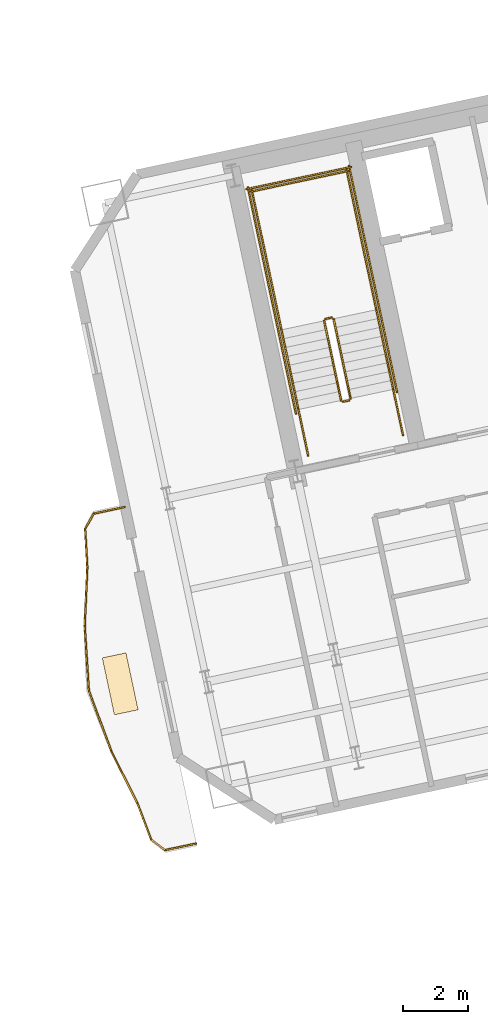
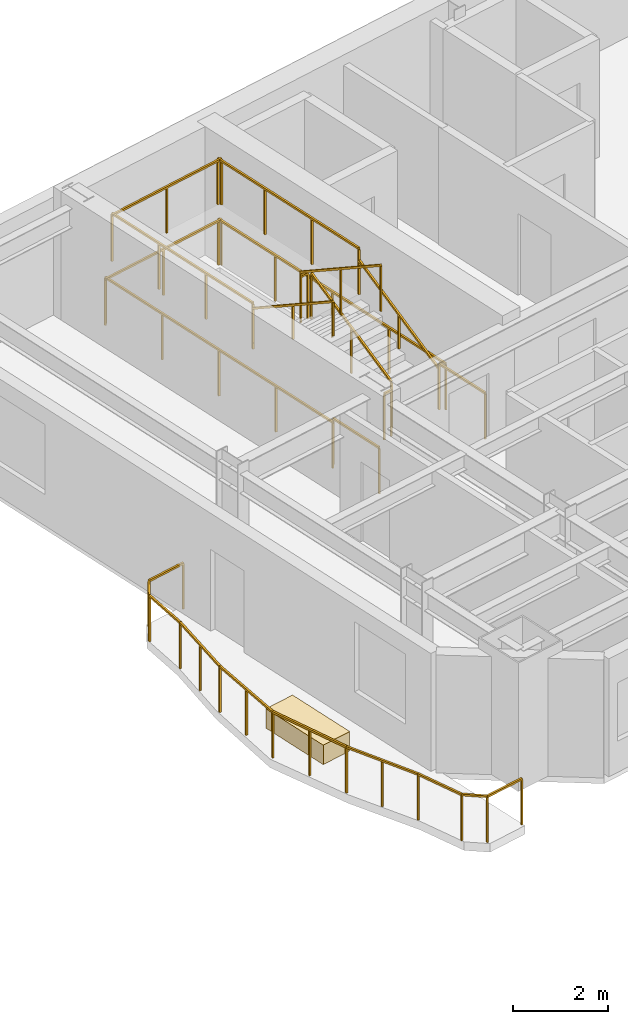
# One storey, part 12 of 13: 24 railings, 1 covering.
"""IFC4 building model written with IfcOpenShell, lengths in metres."""

from ifc_helpers import new_model, si_unit, direction, frame, origin, origin_2d, place, context, subcontext, project, spatial, rectangle, extrude, material, layer, layer_set, type_object, element, save


model = new_model("IFC4")

# Units and contexts
model_context = context("Model", 3, precision=1e-05, world=origin(), true_north=direction((0.0, 1.0)))
body_context = subcontext(model_context, "Body", "Model", "MODEL_VIEW")
ifc_project = project(units=[si_unit("LENGTHUNIT", "METRE"), si_unit("AREAUNIT", "SQUARE_METRE"), si_unit("VOLUMEUNIT", "CUBIC_METRE"), si_unit("PLANEANGLEUNIT", "RADIAN"), si_unit("MASSUNIT", "GRAM", prefix="KILO")], contexts=[model_context])

# Site, building, storey
site_placement = place(None, origin())
site = spatial("IfcSite", under=ifc_project, at=site_placement, CompositionType="ELEMENT")
building_placement = place(site_placement, origin())
building = spatial("IfcBuilding", under=site, at=building_placement, Name="Haevon Station Towers", CompositionType="ELEMENT")
storey_placement = place(building_placement, frame((0.0, 0.0, 162.60009765625)))
storey = spatial("IfcBuildingStorey", under=building, at=storey_placement, Name="L44", CompositionType="ELEMENT", Elevation=162.60009765625)

# Railings
ifc_material_1 = material(Name="Steel S355", Category="steel")
railing_type_1 = type_object("IfcRailingType", Name="GRD-EXT1200", PredefinedType="GUARDRAIL", material=ifc_material_1)
railing_1_placement = place(storey_placement, frame((93.44384765625, 36.33154296875, 0.0)))
element("IfcRailing", 1, at=railing_1_placement, inside=storey, type_object=railing_type_1, Name="L44 Perimeter Guardrail 1", PredefinedType="GUARDRAIL", context=body_context, shape_type="SweptSolid", body=[
    extrude(rectangle(XDim=0.048095703125, YDim=0.048095703125, at=origin_2d()), frame((0.0, 0.0, 1.17578125), z_axis=(-0.977706975704, -0.209973973767, 0.0), x_axis=(0.209973973767, -0.977706975704, 0.0)), (0.0, 0.0, 1.0), 0.974365234375),
    extrude(rectangle(XDim=0.0419921875, YDim=0.0419921875, at=origin_2d()), origin(), (0.0, 0.0, 1.0), 1.15185546875),
    extrude(rectangle(XDim=0.0419921875, YDim=0.0419921875, at=origin_2d()), frame((-0.95263671875, -0.20458984375, 0.0)), (0.0, 0.0, 1.0), 1.15185546875),
])
railing_2_placement = place(storey_placement, frame((92.4912109375, 36.126953125, 0.0)))
element("IfcRailing", 2, at=railing_2_placement, inside=storey, type_object=railing_type_1, Name="L44 Perimeter Guardrail 2", PredefinedType="GUARDRAIL", context=body_context, shape_type="SweptSolid", body=[
    extrude(rectangle(XDim=0.048095703125, YDim=0.048095703125, at=origin_2d()), frame((0.0, 0.0, 1.17578125), z_axis=(-0.480899548863, -0.876775697601, 0.0), x_axis=(0.876775697601, -0.480899548863, 0.0)), (0.0, 0.0, 1.0), 0.542724609375),
    extrude(rectangle(XDim=0.0419921875, YDim=0.0419921875, at=origin_2d()), origin(), (0.0, 0.0, 1.0), 1.15185546875),
    extrude(rectangle(XDim=0.0419921875, YDim=0.0419921875, at=origin_2d()), frame((-0.260986328125, -0.475830078125, 0.0)), (0.0, 0.0, 1.0), 1.15185546875),
])
railing_3_placement = place(storey_placement, frame((92.230224609375, 35.651123046875, 0.0)))
element("IfcRailing", 3, at=railing_3_placement, inside=storey, type_object=railing_type_1, Name="L44 Perimeter Guardrail 3", PredefinedType="GUARDRAIL", context=body_context, shape_type="SweptSolid", body=[
    extrude(rectangle(XDim=0.048095703125, YDim=0.048095703125, at=origin_2d()), frame((0.0, 0.0, 1.17578125), z_axis=(0.056486171086, -0.998403381643, 0.0), x_axis=(0.998403381643, 0.056486171086, 0.0)), (0.0, 0.0, 1.0), 1.184326171875),
    extrude(rectangle(XDim=0.0419921875, YDim=0.0419921875, at=origin_2d()), origin(), (0.0, 0.0, 1.0), 1.15185546875),
    extrude(rectangle(XDim=0.0419921875, YDim=0.0419921875, at=origin_2d()), frame((0.06689453125, -1.182373046875, 0.0)), (0.0, 0.0, 1.0), 1.15185546875),
])
railing_4_placement = place(storey_placement, frame((92.297119140625, 34.46875, 0.0)))
element("IfcRailing", 4, at=railing_4_placement, inside=storey, type_object=railing_type_1, Name="L44 Perimeter Guardrail 4", PredefinedType="GUARDRAIL", context=body_context, shape_type="SweptSolid", body=[
    extrude(rectangle(XDim=0.048095703125, YDim=0.048095703125, at=origin_2d()), frame((0.0, 0.0, 1.17578125), z_axis=(-0.044358621954, -0.999015671878, 0.0), x_axis=(0.999015671878, -0.044358621954, 0.0)), (0.0, 0.0, 1.0), 1.80517578125),
    extrude(rectangle(XDim=0.0419921875, YDim=0.0419921875, at=origin_2d()), origin(), (0.0, 0.0, 1.0), 1.15185546875),
    extrude(rectangle(XDim=0.0419921875, YDim=0.0419921875, at=origin_2d()), frame((-0.0400390625, -0.90185546875, 0.0)), (0.0, 0.0, 1.0), 1.15185546875),
    extrude(rectangle(XDim=0.0419921875, YDim=0.0419921875, at=origin_2d()), frame((-0.080078125, -1.803466796875, 0.0)), (0.0, 0.0, 1.0), 1.15185546875),
])
railing_5_placement = place(storey_placement, frame((92.217041015625, 32.665283203125, 0.0)))
element("IfcRailing", 5, at=railing_5_placement, inside=storey, type_object=railing_type_1, Name="L44 Perimeter Guardrail 5", PredefinedType="GUARDRAIL", context=body_context, shape_type="SweptSolid", body=[
    extrude(rectangle(XDim=0.048095703125, YDim=0.048095703125, at=origin_2d()), frame((0.0, 0.0, 1.17578125), z_axis=(0.063322282015, -0.997993130538, 0.0), x_axis=(0.997993130538, 0.063322282015, 0.0)), (0.0, 0.0, 1.0), 2.0126953125),
    extrude(rectangle(XDim=0.0419921875, YDim=0.0419921875, at=origin_2d()), origin(), (0.0, 0.0, 1.0), 1.15185546875),
    extrude(rectangle(XDim=0.0419921875, YDim=0.0419921875, at=origin_2d()), frame((0.063720703125, -1.00439453125, 0.0)), (0.0, 0.0, 1.0), 1.15185546875),
    extrude(rectangle(XDim=0.0419921875, YDim=0.0419921875, at=origin_2d()), frame((0.12744140625, -2.008544921875, 0.0)), (0.0, 0.0, 1.0), 1.15185546875),
])
railing_6_placement = place(storey_placement, frame((92.344482421875, 30.65673828125, 0.0)))
element("IfcRailing", 6, at=railing_6_placement, inside=storey, type_object=railing_type_1, Name="L44 Perimeter Guardrail 6", PredefinedType="GUARDRAIL", context=body_context, shape_type="SweptSolid", body=[
    extrude(rectangle(XDim=0.048095703125, YDim=0.048095703125, at=origin_2d()), frame((0.0, 0.0, 1.17578125), z_axis=(0.348076866175, -0.937465996841, 0.0), x_axis=(0.937465996841, 0.348076866175, 0.0)), (0.0, 0.0, 1.0), 2.01220703125),
    extrude(rectangle(XDim=0.0419921875, YDim=0.0419921875, at=origin_2d()), origin(), (0.0, 0.0, 1.0), 1.15185546875),
    extrude(rectangle(XDim=0.0419921875, YDim=0.0419921875, at=origin_2d()), frame((0.35009765625, -0.943359375, 0.0)), (0.0, 0.0, 1.0), 1.15185546875),
    extrude(rectangle(XDim=0.0419921875, YDim=0.0419921875, at=origin_2d()), frame((0.700439453125, -1.886474609375, 0.0)), (0.0, 0.0, 1.0), 1.15185546875),
])
railing_7_placement = place(storey_placement, frame((93.044921875, 28.770263671875, 0.0)))
element("IfcRailing", 7, at=railing_7_placement, inside=storey, type_object=railing_type_1, Name="L44 Perimeter Guardrail 7", PredefinedType="GUARDRAIL", context=body_context, shape_type="SweptSolid", body=[
    extrude(rectangle(XDim=0.048095703125, YDim=0.048095703125, at=origin_2d()), frame((0.0, 0.0, 1.17578125), z_axis=(0.446943110236, -0.894562382516, 0.0), x_axis=(0.894562382516, 0.446943110236, 0.0)), (0.0, 0.0, 1.0), 1.805419921875),
    extrude(rectangle(XDim=0.0419921875, YDim=0.0419921875, at=origin_2d()), origin(), (0.0, 0.0, 1.0), 1.15185546875),
    extrude(rectangle(XDim=0.0419921875, YDim=0.0419921875, at=origin_2d()), frame((0.4033203125, -0.8076171875, 0.0)), (0.0, 0.0, 1.0), 1.15185546875),
    extrude(rectangle(XDim=0.0419921875, YDim=0.0419921875, at=origin_2d()), frame((0.806884765625, -1.614990234375, 0.0)), (0.0, 0.0, 1.0), 1.15185546875),
])
railing_8_placement = place(storey_placement, frame((93.851806640625, 27.1552734375, 0.0)))
element("IfcRailing", 8, at=railing_8_placement, inside=storey, type_object=railing_type_1, Name="L44 Perimeter Guardrail 8", PredefinedType="GUARDRAIL", context=body_context, shape_type="SweptSolid", body=[
    extrude(rectangle(XDim=0.048095703125, YDim=0.048095703125, at=origin_2d()), frame((0.0, 0.0, 1.17578125), z_axis=(0.354374563569, -0.935103560412, 0.0), x_axis=(0.935103560412, 0.354374563569, 0.0)), (0.0, 0.0, 1.0), 1.184326171875),
    extrude(rectangle(XDim=0.0419921875, YDim=0.0419921875, at=origin_2d()), origin(), (0.0, 0.0, 1.0), 1.15185546875),
    extrude(rectangle(XDim=0.0419921875, YDim=0.0419921875, at=origin_2d()), frame((0.419677734375, -1.107421875, 0.0)), (0.0, 0.0, 1.0), 1.15185546875),
])
railing_9_placement = place(storey_placement, frame((94.271484375, 26.0478515625, 0.0)))
element("IfcRailing", 9, at=railing_9_placement, inside=storey, type_object=railing_type_1, Name="L44 Perimeter Guardrail 9", PredefinedType="GUARDRAIL", context=body_context, shape_type="SweptSolid", body=[
    extrude(rectangle(XDim=0.048095703125, YDim=0.048095703125, at=origin_2d()), frame((0.0, 0.0, 1.17578125), z_axis=(0.795823981278, -0.605528026456, 0.0), x_axis=(0.605528026456, 0.795823981278, 0.0)), (0.0, 0.0, 1.0), 0.542724609375),
    extrude(rectangle(XDim=0.0419921875, YDim=0.0419921875, at=origin_2d()), origin(), (0.0, 0.0, 1.0), 1.15185546875),
    extrude(rectangle(XDim=0.0419921875, YDim=0.0419921875, at=origin_2d()), frame((0.431884765625, -0.32861328125, 0.0)), (0.0, 0.0, 1.0), 1.15185546875),
])
railing_10_placement = place(storey_placement, frame((94.703369140625, 25.71923828125, 0.0)))
element("IfcRailing", 10, at=railing_10_placement, inside=storey, type_object=railing_type_1, Name="L44 Perimeter Guardrail 10", PredefinedType="GUARDRAIL", context=body_context, shape_type="SweptSolid", body=[
    extrude(rectangle(XDim=0.048095703125, YDim=0.048095703125, at=origin_2d()), frame((0.0, 0.0, 1.17578125), z_axis=(0.978565730841, 0.205934723695, 0.0), x_axis=(-0.205934723695, 0.978565730841, 0.0)), (0.0, 0.0, 1.0), 0.974609375),
    extrude(rectangle(XDim=0.0419921875, YDim=0.0419921875, at=origin_2d()), origin(), (0.0, 0.0, 1.0), 1.15185546875),
    extrude(rectangle(XDim=0.0419921875, YDim=0.0419921875, at=origin_2d()), frame((0.95361328125, 0.20068359375, 0.0)), (0.0, 0.0, 1.0), 1.15185546875),
])
railing_type_2 = type_object("IfcRailingType", Name="GRD-STR1200", PredefinedType="GUARDRAIL", material=ifc_material_1)
railing_11_placement = place(storey_placement, frame((100.44140625, 39.69287109375, 0.164794921875)))
element("IfcRailing", 11, at=railing_11_placement, inside=storey, type_object=railing_type_2, Name="L44 ST3 Stair Guard 1", PredefinedType="GUARDRAIL", context=body_context, shape_type="SweptSolid", body=[
    extrude(rectangle(XDim=0.048095703125, YDim=0.048095703125, at=origin_2d()), frame((0.0, 0.0, 1.17578125), z_axis=(-0.179121265225, 0.842687928106, 0.507732831485), x_axis=(-0.978147030254, -0.207914374695, 0.0)), (0.0, 0.0, 1.0), 2.925048828125),
    extrude(rectangle(XDim=0.0419921875, YDim=0.0419921875, at=origin_2d()), origin(), (0.0, 0.0, 1.0), 1.15185546875),
    extrude(rectangle(XDim=0.0419921875, YDim=0.0419921875, at=origin_2d()), frame((-0.261962890625, 1.232421875, 0.74267578125)), (0.0, 0.0, 1.0), 1.15185546875),
    extrude(rectangle(XDim=0.0419921875, YDim=0.0419921875, at=origin_2d()), frame((-0.52392578125, 2.46484375, 1.485107421875)), (0.0, 0.0, 1.0), 1.15185546875),
])
railing_12_placement = place(storey_placement, frame((99.858154296875, 42.1962890625, 1.64990234375)))
element("IfcRailing", 12, at=railing_12_placement, inside=storey, type_object=railing_type_2, Name="L44 ST3 Stair Guard 2", PredefinedType="GUARDRAIL", context=body_context, shape_type="SweptSolid", body=[
    extrude(rectangle(XDim=0.048095703125, YDim=0.048095703125, at=origin_2d()), frame((0.0, 0.0, 1.17578125), z_axis=(-0.977962931203, -0.208778603291, 0.0), x_axis=(0.208778603291, -0.977962931203, 0.0)), (0.0, 0.0, 1.0), 0.199951171875),
    extrude(rectangle(XDim=0.0419921875, YDim=0.0419921875, at=origin_2d()), origin(), (0.0, 0.0, 1.0), 1.15185546875),
    extrude(rectangle(XDim=0.0419921875, YDim=0.0419921875, at=origin_2d()), frame((-0.195556640625, -0.041748046875, 0.0)), (0.0, 0.0, 1.0), 1.15185546875),
])
railing_13_placement = place(storey_placement, frame((101.238037109375, 42.4384765625, 1.64990234375)))
element("IfcRailing", 13, at=railing_13_placement, inside=storey, type_object=railing_type_2, Name="L44 ST3 Stair Guard 3", PredefinedType="GUARDRAIL", context=body_context, shape_type="SweptSolid", body=[
    extrude(rectangle(XDim=0.048095703125, YDim=0.048095703125, at=origin_2d()), frame((0.0, 0.0, 1.17578125), z_axis=(-0.20794048909, 0.978141479029, 0.0), x_axis=(-0.978141479029, -0.20794048909, 0.0)), (0.0, 0.0, 1.0), 4.429931640625),
    extrude(rectangle(XDim=0.0419921875, YDim=0.0419921875, at=origin_2d()), origin(), (0.0, 0.0, 1.0), 1.15185546875),
    extrude(rectangle(XDim=0.0419921875, YDim=0.0419921875, at=origin_2d()), frame((-0.30712890625, 1.4443359375, 0.0)), (0.0, 0.0, 1.0), 1.15185546875),
    extrude(rectangle(XDim=0.0419921875, YDim=0.0419921875, at=origin_2d()), frame((-0.614013671875, 2.888671875, 0.0)), (0.0, 0.0, 1.0), 1.15185546875),
    extrude(rectangle(XDim=0.0419921875, YDim=0.0419921875, at=origin_2d()), frame((-0.921142578125, 4.3330078125, 0.0)), (0.0, 0.0, 1.0), 1.15185546875),
])
railing_14_placement = place(storey_placement, frame((98.303466796875, 41.814697265625, 1.64990234375)))
element("IfcRailing", 14, at=railing_14_placement, inside=storey, type_object=railing_type_2, Name="L44 ST3 Stair Guard 4", PredefinedType="GUARDRAIL", context=body_context, shape_type="SweptSolid", body=[
    extrude(rectangle(XDim=0.048095703125, YDim=0.048095703125, at=origin_2d()), frame((0.0, 0.0, 1.17578125), z_axis=(-0.207876551949, 0.978155069071, 0.0), x_axis=(-0.978155069071, -0.207876551949, 0.0)), (0.0, 0.0, 1.0), 4.429931640625),
    extrude(rectangle(XDim=0.0419921875, YDim=0.0419921875, at=origin_2d()), origin(), (0.0, 0.0, 1.0), 1.15185546875),
    extrude(rectangle(XDim=0.0419921875, YDim=0.0419921875, at=origin_2d()), frame((-0.306884765625, 1.4443359375, 0.0)), (0.0, 0.0, 1.0), 1.15185546875),
    extrude(rectangle(XDim=0.0419921875, YDim=0.0419921875, at=origin_2d()), frame((-0.614013671875, 2.888916015625, 0.0)), (0.0, 0.0, 1.0), 1.15185546875),
    extrude(rectangle(XDim=0.0419921875, YDim=0.0419921875, at=origin_2d()), frame((-0.9208984375, 4.333251953125, 0.0)), (0.0, 0.0, 1.0), 1.15185546875),
])
railing_15_placement = place(storey_placement, frame((100.376220703125, 46.733154296875, 1.64990234375)))
element("IfcRailing", 15, at=railing_15_placement, inside=storey, type_object=railing_type_2, Name="L44 ST3 Stair Guard 5", PredefinedType="GUARDRAIL", context=body_context, shape_type="SweptSolid", body=[
    extrude(rectangle(XDim=0.048095703125, YDim=0.048095703125, at=origin_2d()), frame((0.0, 0.0, 1.17578125), z_axis=(-0.978146839882, -0.207915270313, 0.0), x_axis=(0.207915270313, -0.978146839882, 0.0)), (0.0, 0.0, 1.0), 3.099853515625),
    extrude(rectangle(XDim=0.0419921875, YDim=0.0419921875, at=origin_2d()), origin(), (0.0, 0.0, 1.0), 1.15185546875),
    extrude(rectangle(XDim=0.0419921875, YDim=0.0419921875, at=origin_2d()), frame((-1.51611328125, -0.322265625, 0.0)), (0.0, 0.0, 1.0), 1.15185546875),
    extrude(rectangle(XDim=0.0419921875, YDim=0.0419921875, at=origin_2d()), frame((-3.0322265625, -0.64453125, 0.0)), (0.0, 0.0, 1.0), 1.15185546875),
])
railing_16_placement = place(storey_placement, frame((99.6240234375, 42.09521484375, 1.81494140625)))
element("IfcRailing", 16, at=railing_16_placement, inside=storey, type_object=railing_type_2, Name="L44 ST3 Stair Guard 6", PredefinedType="GUARDRAIL", context=body_context, shape_type="SweptSolid", body=[
    extrude(rectangle(XDim=0.048095703125, YDim=0.048095703125, at=origin_2d()), frame((0.0, 0.0, 1.17578125), z_axis=(0.179128856099, -0.842723639875, 0.507670877349), x_axis=(0.978147030254, 0.207914374695, 0.0)), (0.0, 0.0, 1.0), 2.9248046875),
    extrude(rectangle(XDim=0.0419921875, YDim=0.0419921875, at=origin_2d()), origin(), (0.0, 0.0, 1.0), 1.15185546875),
    extrude(rectangle(XDim=0.0419921875, YDim=0.0419921875, at=origin_2d()), frame((0.261962890625, -1.232421875, 0.742431640625)), (0.0, 0.0, 1.0), 1.15185546875),
    extrude(rectangle(XDim=0.0419921875, YDim=0.0419921875, at=origin_2d()), frame((0.52392578125, -2.46484375, 1.48486328125)), (0.0, 0.0, 1.0), 1.15185546875),
])
railing_17_placement = place(storey_placement, frame((100.40283203125, 39.633544921875, 0.0)))
element("IfcRailing", 17, at=railing_17_placement, inside=storey, type_object=railing_type_2, Name="L44 ST3 Stair Guard 7", PredefinedType="GUARDRAIL", context=body_context, shape_type="SweptSolid", body=[
    extrude(rectangle(XDim=0.048095703125, YDim=0.048095703125, at=origin_2d()), frame((0.0, 0.0, 1.17578125), z_axis=(-0.977962931203, -0.208778603291, 0.0), x_axis=(0.208778603291, -0.977962931203, 0.0)), (0.0, 0.0, 1.0), 0.199951171875),
    extrude(rectangle(XDim=0.0419921875, YDim=0.0419921875, at=origin_2d()), origin(), (0.0, 0.0, 1.0), 1.15185546875),
    extrude(rectangle(XDim=0.0419921875, YDim=0.0419921875, at=origin_2d()), frame((-0.195556640625, -0.041748046875, 0.0)), (0.0, 0.0, 1.0), 1.15185546875),
])
for number, where, name in (
    (18, (102.0634765625, 38.55517578125, 0.0), "L44 ST3 Stair Guard 8"),
    (19, (99.12890625, 37.931396484375, 0.0), "L44 ST3 Stair Guard 9"),
):
    element("IfcRailing", number, at=place(storey_placement, frame(where)), inside=storey, type_object=railing_type_2, Name=name, PredefinedType="GUARDRAIL", context=body_context, shape_type="SweptSolid", body=[
        extrude(rectangle(XDim=0.048095703125, YDim=0.048095703125, at=origin_2d()), frame((0.0, 0.0, 1.17578125), z_axis=(-0.207953405961, 0.978138732977, 0.0), x_axis=(-0.978138732977, -0.207953405961, 0.0)), (0.0, 0.0, 1.0), 1.449951171875),
        extrude(rectangle(XDim=0.0419921875, YDim=0.0419921875, at=origin_2d()), origin(), (0.0, 0.0, 1.0), 1.15185546875),
        extrude(rectangle(XDim=0.0419921875, YDim=0.0419921875, at=origin_2d()), frame((-0.301513671875, 1.418212890625, 0.0)), (0.0, 0.0, 1.0), 1.15185546875),
    ])
railing_18_placement = place(storey_placement, frame((101.88037109375, 39.896484375, 0.0)))
element("IfcRailing", 20, at=railing_18_placement, inside=storey, type_object=railing_type_2, Name="L44 ST3 Stair Guard 10", PredefinedType="GUARDRAIL", context=body_context, shape_type="SweptSolid", body=[
    extrude(rectangle(XDim=0.048095703125, YDim=0.048095703125, at=origin_2d()), frame((0.0, 0.0, 1.17578125), z_axis=(-0.207882442208, 0.978153817261, 0.0), x_axis=(-0.978153817261, -0.207882442208, 0.0)), (0.0, 0.0, 1.0), 7.14990234375),
    extrude(rectangle(XDim=0.0419921875, YDim=0.0419921875, at=origin_2d()), origin(), (0.0, 0.0, 1.0), 1.15185546875),
    extrude(rectangle(XDim=0.0419921875, YDim=0.0419921875, at=origin_2d()), frame((-0.37158203125, 1.74853515625, 0.0)), (0.0, 0.0, 1.0), 1.15185546875),
    extrude(rectangle(XDim=0.0419921875, YDim=0.0419921875, at=origin_2d()), frame((-0.7431640625, 3.496826171875, 0.0)), (0.0, 0.0, 1.0), 1.15185546875),
    extrude(rectangle(XDim=0.0419921875, YDim=0.0419921875, at=origin_2d()), frame((-1.11474609375, 5.2451171875, 0.0)), (0.0, 0.0, 1.0), 1.15185546875),
    extrude(rectangle(XDim=0.0419921875, YDim=0.0419921875, at=origin_2d()), frame((-1.486328125, 6.99365234375, 0.0)), (0.0, 0.0, 1.0), 1.15185546875),
])
railing_19_placement = place(storey_placement, frame((98.75048828125, 39.231201171875, 0.0)))
element("IfcRailing", 21, at=railing_19_placement, inside=storey, type_object=railing_type_2, Name="L44 ST3 Stair Guard 11", PredefinedType="GUARDRAIL", context=body_context, shape_type="SweptSolid", body=[
    extrude(rectangle(XDim=0.048095703125, YDim=0.048095703125, at=origin_2d()), frame((0.0, 0.0, 1.17578125), z_axis=(-0.207915112487, 0.978146873429, 0.0), x_axis=(-0.978146873429, -0.207915112487, 0.0)), (0.0, 0.0, 1.0), 7.14990234375),
    extrude(rectangle(XDim=0.0419921875, YDim=0.0419921875, at=origin_2d()), origin(), (0.0, 0.0, 1.0), 1.15185546875),
    extrude(rectangle(XDim=0.0419921875, YDim=0.0419921875, at=origin_2d()), frame((-0.37158203125, 1.74853515625, 0.0)), (0.0, 0.0, 1.0), 1.15185546875),
    extrude(rectangle(XDim=0.0419921875, YDim=0.0419921875, at=origin_2d()), frame((-0.7431640625, 3.496826171875, 0.0)), (0.0, 0.0, 1.0), 1.15185546875),
    extrude(rectangle(XDim=0.0419921875, YDim=0.0419921875, at=origin_2d()), frame((-1.114990234375, 5.2451171875, 0.0)), (0.0, 0.0, 1.0), 1.15185546875),
    extrude(rectangle(XDim=0.0419921875, YDim=0.0419921875, at=origin_2d()), frame((-1.486572265625, 6.99365234375, 0.0)), (0.0, 0.0, 1.0), 1.15185546875),
])
railing_20_placement = place(storey_placement, frame((100.453125, 46.8515625, 0.0)))
element("IfcRailing", 22, at=railing_20_placement, inside=storey, type_object=railing_type_2, Name="L44 ST3 Stair Guard 12", PredefinedType="GUARDRAIL", context=body_context, shape_type="SweptSolid", body=[
    extrude(rectangle(XDim=0.048095703125, YDim=0.048095703125, at=origin_2d()), frame((0.0, 0.0, 1.17578125), z_axis=(-0.978150764849, -0.207896804268, 0.0), x_axis=(0.207896804268, -0.978150764849, 0.0)), (0.0, 0.0, 1.0), 3.2998046875),
    extrude(rectangle(XDim=0.0419921875, YDim=0.0419921875, at=origin_2d()), origin(), (0.0, 0.0, 1.0), 1.15185546875),
    extrude(rectangle(XDim=0.0419921875, YDim=0.0419921875, at=origin_2d()), frame((-1.61376953125, -0.343017578125, 0.0)), (0.0, 0.0, 1.0), 1.15185546875),
    extrude(rectangle(XDim=0.0419921875, YDim=0.0419921875, at=origin_2d()), frame((-3.227783203125, -0.68603515625, 0.0)), (0.0, 0.0, 1.0), 1.15185546875),
])
railing_type_3 = type_object("IfcRailingType", Name="HND-STR900", PredefinedType="HANDRAIL", material=ifc_material_1)
railing_21_placement = place(storey_placement, frame((101.761962890625, 39.973388671875, 0.164794921875)))
element("IfcRailing", 23, at=railing_21_placement, inside=storey, type_object=railing_type_3, Name="L44 ST3 Stair Handrail 1", PredefinedType="HANDRAIL", context=body_context, shape_type="SweptSolid", body=[
    extrude(rectangle(XDim=0.048095703125, YDim=0.048095703125, at=origin_2d()), frame((0.0, 0.0, 0.8759765625), z_axis=(-0.179108667068, 0.842712120868, 0.50769712105), x_axis=(-0.978151217824, -0.207894673017, 0.0)), (0.0, 0.0, 1.0), 2.92529296875),
    extrude(rectangle(XDim=0.0419921875, YDim=0.0419921875, at=origin_2d()), origin(), (0.0, 0.0, 1.0), 0.851806640625),
    extrude(rectangle(XDim=0.0419921875, YDim=0.0419921875, at=origin_2d()), frame((-0.261962890625, 1.232421875, 0.74267578125)), (0.0, 0.0, 1.0), 0.851806640625),
    extrude(rectangle(XDim=0.0419921875, YDim=0.0419921875, at=origin_2d()), frame((-0.52392578125, 2.465087890625, 1.485107421875)), (0.0, 0.0, 1.0), 0.851806640625),
])
railing_22_placement = place(storey_placement, frame((98.303466796875, 41.814697265625, 1.81494140625)))
element("IfcRailing", 24, at=railing_22_placement, inside=storey, type_object=railing_type_3, Name="L44 ST3 Stair Handrail 2", PredefinedType="HANDRAIL", context=body_context, shape_type="SweptSolid", body=[
    extrude(rectangle(XDim=0.048095703125, YDim=0.048095703125, at=origin_2d()), frame((0.0, 0.0, 0.8759765625), z_axis=(0.179116256339, -0.842747828638, 0.507635168246), x_axis=(0.978151217824, 0.207894673017, 0.0)), (0.0, 0.0, 1.0), 2.925048828125),
    extrude(rectangle(XDim=0.0419921875, YDim=0.0419921875, at=origin_2d()), origin(), (0.0, 0.0, 1.0), 0.851806640625),
    extrude(rectangle(XDim=0.0419921875, YDim=0.0419921875, at=origin_2d()), frame((0.261962890625, -1.232421875, 0.742431640625)), (0.0, 0.0, 1.0), 0.851806640625),
    extrude(rectangle(XDim=0.0419921875, YDim=0.0419921875, at=origin_2d()), frame((0.52392578125, -2.465087890625, 1.48486328125)), (0.0, 0.0, 1.0), 0.851806640625),
])

# Covering
ifc_material_2 = material(Name="Architectural planter GRC", Category="concrete")
ifc_layer = layer(ifc_material_2, 0.550048828125)
ifc_layer_set = layer_set([ifc_layer], Name="Architectural planter GRC")
covering_type = type_object("IfcCoveringType", Name="PLN-GRC550", PredefinedType="MOLDING", material=ifc_layer_set)
covering_placement = place(storey_placement, frame((93.31396484375, 30.863037109375, 0.0), z_axis=(0.0, 0.0, 1.0), x_axis=(0.978147600734, 0.207911690818, 0.0)))
element("IfcCovering", 25, at=covering_placement, inside=storey, type_object=covering_type, Name="Tower 2 L44 Scalloped Balcony PLANTER", PredefinedType="MOLDING", context=body_context, shape_type="SweptSolid", body=[
    extrude(rectangle(XDim=0.75, YDim=1.800048828125, at=origin_2d()), origin(), (0.0, 0.0, 1.0), 0.5),
])

save(model, "model.ifc")
